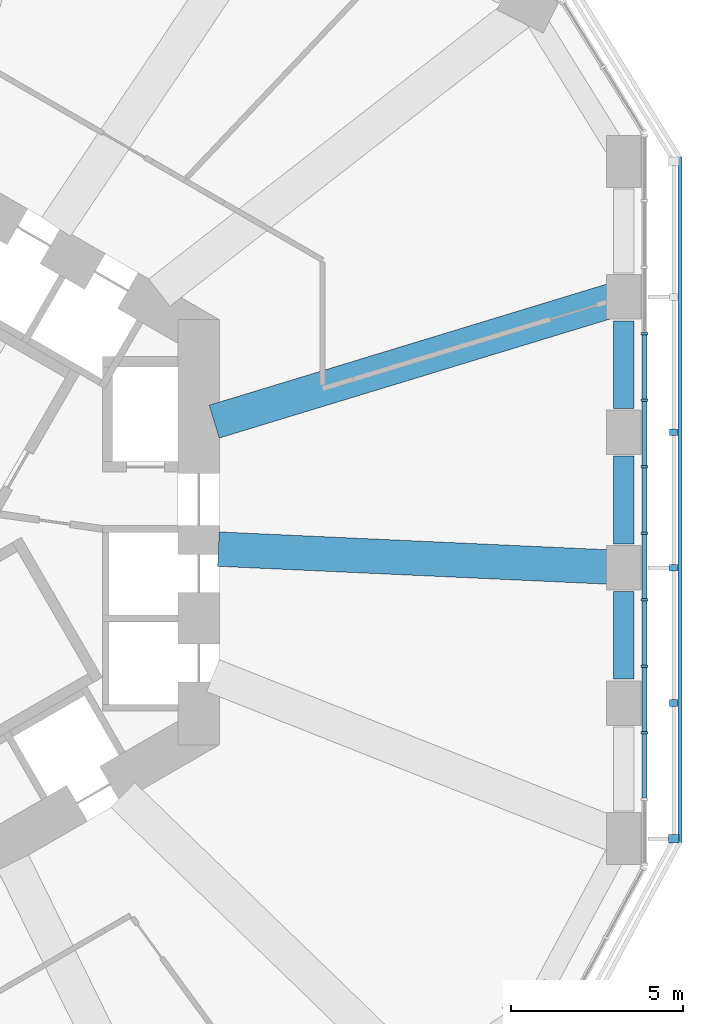
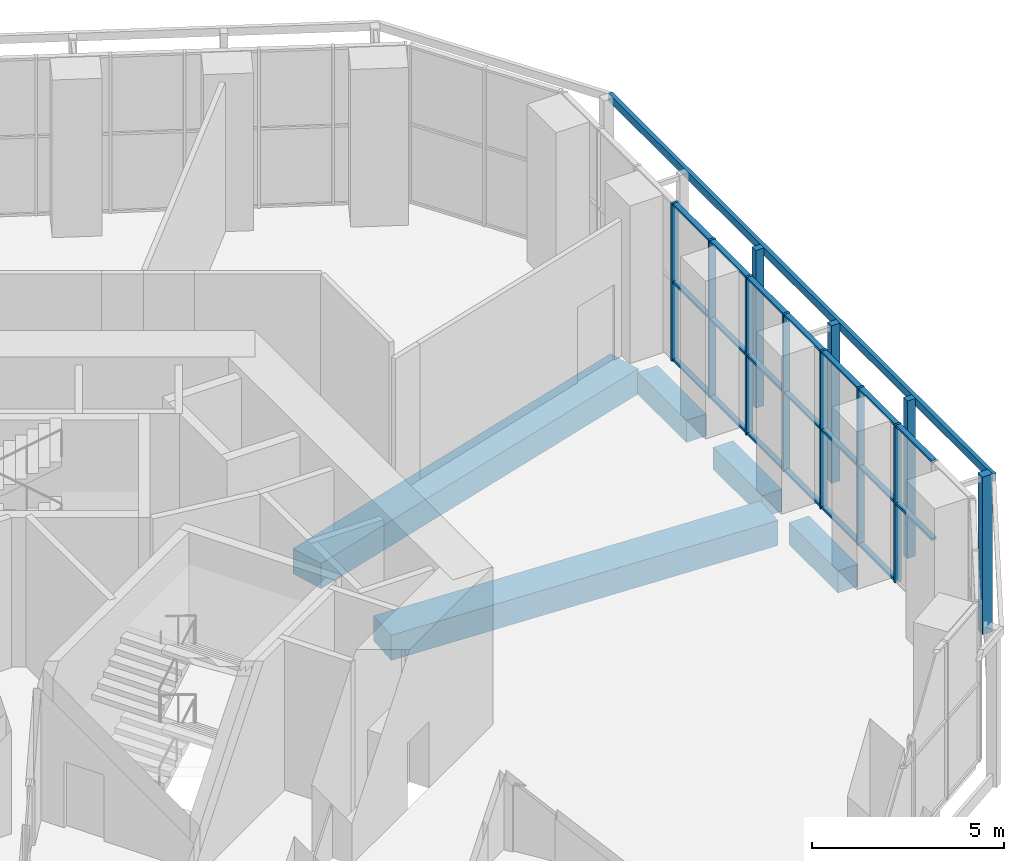
# One storey, part 6 of 19: 32 members, 5 beams, 2 elements without a shape of their own.
"""IFC4 building model written with IfcOpenShell, lengths in metres."""

from ifc_helpers import new_model, si_unit, direction, frame, origin, origin_2d, place, context, subcontext, project, spatial, rectangle, extrude, material, material_profile, profile_set, type_object, element, aggregate, save


model = new_model("IFC4")

# Units and contexts
model_context = context("Model", 3, precision=1e-05, world=origin(), true_north=direction((0.0, 1.0)))
body_context = subcontext(model_context, "Body", "Model", "MODEL_VIEW")
ifc_project = project(units=[si_unit("LENGTHUNIT", "METRE"), si_unit("AREAUNIT", "SQUARE_METRE"), si_unit("VOLUMEUNIT", "CUBIC_METRE"), si_unit("PLANEANGLEUNIT", "RADIAN"), si_unit("MASSUNIT", "GRAM", prefix="KILO")], contexts=[model_context])

# Site, building, storey
site_placement = place(None, origin())
site = spatial("IfcSite", under=ifc_project, at=site_placement, CompositionType="ELEMENT")
building_placement = place(site_placement, origin())
building = spatial("IfcBuilding", under=site, at=building_placement, Name="Vanh Sen Convention Tower", CompositionType="ELEMENT")
storey_placement = place(building_placement, frame((0.0, 0.0, 39.0)))
storey = spatial("IfcBuildingStorey", under=building, at=storey_placement, Name="L06", CompositionType="ELEMENT", Elevation=39.0)

# Curtain wall, members
ifc_material_1 = material(Name="Aluminium structural glazing system", Category="aluminium")
curtain_wall_type_1 = type_object("IfcCurtainWallType", Name="Hotel lobby structural glazing", PredefinedType="NOTDEFINED", material=ifc_material_1)
curtain_wall_1_placement = place(storey_placement, origin())
curtain_wall_1 = element("IfcCurtainWall", 1, at=curtain_wall_1_placement, inside=storey, type_object=curtain_wall_type_1, Name="Hotel lobby glazing E L06", PredefinedType="NOTDEFINED")
ifc_material_2 = material(Name="Aluminium mullion", Category="aluminium")
ifc_material_profile_1 = material_profile(ifc_material_2, rectangle(XDim=0.199951171875, YDim=0.070068359375, at=origin_2d()), Name="Lobby glazing mullion 70 x 200")
ifc_profile_set_1 = profile_set([ifc_material_profile_1], Name="Aluminium mullion")
member_type_1 = type_object("IfcMemberType", Name="Lobby glazing mullion 70 x 200", PredefinedType="MULLION", material=ifc_profile_set_1)
member_1_placement = place(storey_placement, frame((23.050048828125, -5.82373046875, 0.0), z_axis=(0.0, 0.0, 1.0), x_axis=(-1.0, 0.0, 0.0)))
member_1 = element("IfcMember", 2, at=member_1_placement, type_object=member_type_1, Name="CW2 mullion 3", PredefinedType="MULLION", context=body_context, shape_type="SweptSolid", body=[
    extrude(rectangle(XDim=0.199951171875, YDim=0.070068359375, at=origin_2d()), origin(), (0.0, 0.0, 1.0), 5.0),
])
member_2_placement = place(storey_placement, frame((23.050048828125, -3.89208984375, 0.0), z_axis=(0.0, 0.0, 1.0), x_axis=(-1.0, 0.0, 0.0)))
member_2 = element("IfcMember", 3, at=member_2_placement, type_object=member_type_1, Name="CW2 mullion 4", PredefinedType="MULLION", context=body_context, shape_type="SweptSolid", body=[
    extrude(rectangle(XDim=0.199951171875, YDim=0.070068359375, at=origin_2d()), origin(), (0.0, 0.0, 1.0), 5.0),
])
member_3_placement = place(storey_placement, frame((23.050048828125, -1.960693359375, 0.0), z_axis=(0.0, 0.0, 1.0), x_axis=(-1.0, 0.0, 0.0)))
member_3 = element("IfcMember", 4, at=member_3_placement, type_object=member_type_1, Name="CW2 mullion 5", PredefinedType="MULLION", context=body_context, shape_type="SweptSolid", body=[
    extrude(rectangle(XDim=0.199951171875, YDim=0.070068359375, at=origin_2d()), origin(), (0.0, 0.0, 1.0), 5.0),
])
member_4_placement = place(storey_placement, frame((23.050048828125, -0.029296875, 0.0), z_axis=(0.0, 0.0, 1.0), x_axis=(-1.0, 0.0, 0.0)))
member_4 = element("IfcMember", 5, at=member_4_placement, type_object=member_type_1, Name="CW2 mullion 6", PredefinedType="MULLION", context=body_context, shape_type="SweptSolid", body=[
    extrude(rectangle(XDim=0.199951171875, YDim=0.070068359375, at=origin_2d()), origin(), (0.0, 0.0, 1.0), 5.0),
])
member_5_placement = place(storey_placement, frame((23.050048828125, 1.902099609375, 0.0), z_axis=(0.0, 0.0, 1.0), x_axis=(-1.0, 0.0, 0.0)))
member_5 = element("IfcMember", 6, at=member_5_placement, type_object=member_type_1, Name="CW2 mullion 7", PredefinedType="MULLION", context=body_context, shape_type="SweptSolid", body=[
    extrude(rectangle(XDim=0.199951171875, YDim=0.070068359375, at=origin_2d()), origin(), (0.0, 0.0, 1.0), 5.0),
])
member_6_placement = place(storey_placement, frame((23.050048828125, 3.833740234375, 0.0), z_axis=(0.0, 0.0, 1.0), x_axis=(-1.0, 0.0, 0.0)))
member_6 = element("IfcMember", 7, at=member_6_placement, type_object=member_type_1, Name="CW2 mullion 8", PredefinedType="MULLION", context=body_context, shape_type="SweptSolid", body=[
    extrude(rectangle(XDim=0.199951171875, YDim=0.070068359375, at=origin_2d()), origin(), (0.0, 0.0, 1.0), 5.0),
])
member_7_placement = place(storey_placement, frame((23.050048828125, 5.76513671875, 0.0), z_axis=(0.0, 0.0, 1.0), x_axis=(-1.0, 0.0, 0.0)))
member_7 = element("IfcMember", 8, at=member_7_placement, type_object=member_type_1, Name="CW2 mullion 9", PredefinedType="MULLION", context=body_context, shape_type="SweptSolid", body=[
    extrude(rectangle(XDim=0.199951171875, YDim=0.070068359375, at=origin_2d()), origin(), (0.0, 0.0, 1.0), 5.0),
])
ifc_material_3 = material(Name="Aluminium transom", Category="aluminium")
ifc_material_profile_2 = material_profile(ifc_material_3, rectangle(XDim=0.14990234375, YDim=0.070068359375, at=origin_2d()), Name="Lobby glazing transom 150 x 70")
ifc_profile_set_2 = profile_set([ifc_material_profile_2], Name="Aluminium transom")
member_type_2 = type_object("IfcMemberType", Name="Lobby glazing transom 150 x 70", PredefinedType="USERDEFINED", material=ifc_profile_set_2)
member_8_placement = place(storey_placement, frame((23.050048828125, -7.72021484375, 2.5), z_axis=(0.0, 1.0, 0.0), x_axis=(-1.0, 0.0, 0.0)))
member_8 = element("IfcMember", 9, at=member_8_placement, type_object=member_type_2, Name="CW2 transom 2.2", ObjectType="TRANSOM", PredefinedType="USERDEFINED", context=body_context, shape_type="SweptSolid", body=[
    extrude(rectangle(XDim=0.14990234375, YDim=0.070068359375, at=origin_2d()), origin(), (0.0, 0.0, 1.0), 1.861572265625),
])
member_9_placement = place(storey_placement, frame((23.050048828125, -7.72021484375, 4.965087890625), z_axis=(0.0, 1.0, 0.0), x_axis=(-1.0, 0.0, 0.0)))
member_9 = element("IfcMember", 10, at=member_9_placement, type_object=member_type_2, Name="CW2 transom 2.3", ObjectType="TRANSOM", PredefinedType="USERDEFINED", context=body_context, shape_type="SweptSolid", body=[
    extrude(rectangle(XDim=0.14990234375, YDim=0.070068359375, at=origin_2d()), origin(), (0.0, 0.0, 1.0), 1.861572265625),
])
member_10_placement = place(storey_placement, frame((23.050048828125, -5.78857421875, 0.034912109375), z_axis=(0.0, 1.0, 0.0), x_axis=(-1.0, 0.0, 0.0)))
member_10 = element("IfcMember", 11, at=member_10_placement, type_object=member_type_2, Name="CW2 transom 3.1", ObjectType="TRANSOM", PredefinedType="USERDEFINED", context=body_context, shape_type="SweptSolid", body=[
    extrude(rectangle(XDim=0.14990234375, YDim=0.070068359375, at=origin_2d()), origin(), (0.0, 0.0, 1.0), 1.861328125),
])
member_11_placement = place(storey_placement, frame((23.050048828125, -5.78857421875, 2.5), z_axis=(0.0, 1.0, 0.0), x_axis=(-1.0, 0.0, 0.0)))
member_11 = element("IfcMember", 12, at=member_11_placement, type_object=member_type_2, Name="CW2 transom 3.2", ObjectType="TRANSOM", PredefinedType="USERDEFINED", context=body_context, shape_type="SweptSolid", body=[
    extrude(rectangle(XDim=0.14990234375, YDim=0.070068359375, at=origin_2d()), origin(), (0.0, 0.0, 1.0), 1.861328125),
])
member_12_placement = place(storey_placement, frame((23.050048828125, -5.78857421875, 4.965087890625), z_axis=(0.0, 1.0, 0.0), x_axis=(-1.0, 0.0, 0.0)))
member_12 = element("IfcMember", 13, at=member_12_placement, type_object=member_type_2, Name="CW2 transom 3.3", ObjectType="TRANSOM", PredefinedType="USERDEFINED", context=body_context, shape_type="SweptSolid", body=[
    extrude(rectangle(XDim=0.14990234375, YDim=0.070068359375, at=origin_2d()), origin(), (0.0, 0.0, 1.0), 1.861328125),
])
member_13_placement = place(storey_placement, frame((23.050048828125, -3.857177734375, 0.034912109375), z_axis=(0.0, 1.0, 0.0), x_axis=(-1.0, 0.0, 0.0)))
member_13 = element("IfcMember", 14, at=member_13_placement, type_object=member_type_2, Name="CW2 transom 4.1", ObjectType="TRANSOM", PredefinedType="USERDEFINED", context=body_context, shape_type="SweptSolid", body=[
    extrude(rectangle(XDim=0.14990234375, YDim=0.070068359375, at=origin_2d()), origin(), (0.0, 0.0, 1.0), 1.861328125),
])
member_14_placement = place(storey_placement, frame((23.050048828125, -3.857177734375, 2.5), z_axis=(0.0, 1.0, 0.0), x_axis=(-1.0, 0.0, 0.0)))
member_14 = element("IfcMember", 15, at=member_14_placement, type_object=member_type_2, Name="CW2 transom 4.2", ObjectType="TRANSOM", PredefinedType="USERDEFINED", context=body_context, shape_type="SweptSolid", body=[
    extrude(rectangle(XDim=0.14990234375, YDim=0.070068359375, at=origin_2d()), origin(), (0.0, 0.0, 1.0), 1.861328125),
])
member_15_placement = place(storey_placement, frame((23.050048828125, -3.857177734375, 4.965087890625), z_axis=(0.0, 1.0, 0.0), x_axis=(-1.0, 0.0, 0.0)))
member_15 = element("IfcMember", 16, at=member_15_placement, type_object=member_type_2, Name="CW2 transom 4.3", ObjectType="TRANSOM", PredefinedType="USERDEFINED", context=body_context, shape_type="SweptSolid", body=[
    extrude(rectangle(XDim=0.14990234375, YDim=0.070068359375, at=origin_2d()), origin(), (0.0, 0.0, 1.0), 1.861328125),
])
member_16_placement = place(storey_placement, frame((23.050048828125, -1.92578125, 0.034912109375), z_axis=(0.0, 1.0, 0.0), x_axis=(-1.0, 0.0, 0.0)))
member_16 = element("IfcMember", 17, at=member_16_placement, type_object=member_type_2, Name="CW2 transom 5.1", ObjectType="TRANSOM", PredefinedType="USERDEFINED", context=body_context, shape_type="SweptSolid", body=[
    extrude(rectangle(XDim=0.14990234375, YDim=0.070068359375, at=origin_2d()), origin(), (0.0, 0.0, 1.0), 1.861572265625),
])
member_17_placement = place(storey_placement, frame((23.050048828125, -1.92578125, 2.5), z_axis=(0.0, 1.0, 0.0), x_axis=(-1.0, 0.0, 0.0)))
member_17 = element("IfcMember", 18, at=member_17_placement, type_object=member_type_2, Name="CW2 transom 5.2", ObjectType="TRANSOM", PredefinedType="USERDEFINED", context=body_context, shape_type="SweptSolid", body=[
    extrude(rectangle(XDim=0.14990234375, YDim=0.070068359375, at=origin_2d()), origin(), (0.0, 0.0, 1.0), 1.861572265625),
])
member_18_placement = place(storey_placement, frame((23.050048828125, -1.92578125, 4.965087890625), z_axis=(0.0, 1.0, 0.0), x_axis=(-1.0, 0.0, 0.0)))
member_18 = element("IfcMember", 19, at=member_18_placement, type_object=member_type_2, Name="CW2 transom 5.3", ObjectType="TRANSOM", PredefinedType="USERDEFINED", context=body_context, shape_type="SweptSolid", body=[
    extrude(rectangle(XDim=0.14990234375, YDim=0.070068359375, at=origin_2d()), origin(), (0.0, 0.0, 1.0), 1.861572265625),
])
member_19_placement = place(storey_placement, frame((23.050048828125, 0.005615234375, 0.034912109375), z_axis=(0.0, 1.0, 0.0), x_axis=(-1.0, 0.0, 0.0)))
member_19 = element("IfcMember", 20, at=member_19_placement, type_object=member_type_2, Name="CW2 transom 6.1", ObjectType="TRANSOM", PredefinedType="USERDEFINED", context=body_context, shape_type="SweptSolid", body=[
    extrude(rectangle(XDim=0.14990234375, YDim=0.070068359375, at=origin_2d()), origin(), (0.0, 0.0, 1.0), 1.861572265625),
])
member_20_placement = place(storey_placement, frame((23.050048828125, 0.005615234375, 2.5), z_axis=(0.0, 1.0, 0.0), x_axis=(-1.0, 0.0, 0.0)))
member_20 = element("IfcMember", 21, at=member_20_placement, type_object=member_type_2, Name="CW2 transom 6.2", ObjectType="TRANSOM", PredefinedType="USERDEFINED", context=body_context, shape_type="SweptSolid", body=[
    extrude(rectangle(XDim=0.14990234375, YDim=0.070068359375, at=origin_2d()), origin(), (0.0, 0.0, 1.0), 1.861572265625),
])
member_21_placement = place(storey_placement, frame((23.050048828125, 0.005615234375, 4.965087890625), z_axis=(0.0, 1.0, 0.0), x_axis=(-1.0, 0.0, 0.0)))
member_21 = element("IfcMember", 22, at=member_21_placement, type_object=member_type_2, Name="CW2 transom 6.3", ObjectType="TRANSOM", PredefinedType="USERDEFINED", context=body_context, shape_type="SweptSolid", body=[
    extrude(rectangle(XDim=0.14990234375, YDim=0.070068359375, at=origin_2d()), origin(), (0.0, 0.0, 1.0), 1.861572265625),
])
member_22_placement = place(storey_placement, frame((23.050048828125, 1.937255859375, 0.034912109375), z_axis=(0.0, 1.0, 0.0), x_axis=(-1.0, 0.0, 0.0)))
member_22 = element("IfcMember", 23, at=member_22_placement, type_object=member_type_2, Name="CW2 transom 7.1", ObjectType="TRANSOM", PredefinedType="USERDEFINED", context=body_context, shape_type="SweptSolid", body=[
    extrude(rectangle(XDim=0.14990234375, YDim=0.070068359375, at=origin_2d()), origin(), (0.0, 0.0, 1.0), 1.861328125),
])
member_23_placement = place(storey_placement, frame((23.050048828125, 1.937255859375, 2.5), z_axis=(0.0, 1.0, 0.0), x_axis=(-1.0, 0.0, 0.0)))
member_23 = element("IfcMember", 24, at=member_23_placement, type_object=member_type_2, Name="CW2 transom 7.2", ObjectType="TRANSOM", PredefinedType="USERDEFINED", context=body_context, shape_type="SweptSolid", body=[
    extrude(rectangle(XDim=0.14990234375, YDim=0.070068359375, at=origin_2d()), origin(), (0.0, 0.0, 1.0), 1.861328125),
])
member_24_placement = place(storey_placement, frame((23.050048828125, 1.937255859375, 4.965087890625), z_axis=(0.0, 1.0, 0.0), x_axis=(-1.0, 0.0, 0.0)))
member_24 = element("IfcMember", 25, at=member_24_placement, type_object=member_type_2, Name="CW2 transom 7.3", ObjectType="TRANSOM", PredefinedType="USERDEFINED", context=body_context, shape_type="SweptSolid", body=[
    extrude(rectangle(XDim=0.14990234375, YDim=0.070068359375, at=origin_2d()), origin(), (0.0, 0.0, 1.0), 1.861328125),
])
member_25_placement = place(storey_placement, frame((23.050048828125, 3.86865234375, 0.034912109375), z_axis=(0.0, 1.0, 0.0), x_axis=(-1.0, 0.0, 0.0)))
member_25 = element("IfcMember", 26, at=member_25_placement, type_object=member_type_2, Name="CW2 transom 8.1", ObjectType="TRANSOM", PredefinedType="USERDEFINED", context=body_context, shape_type="SweptSolid", body=[
    extrude(rectangle(XDim=0.14990234375, YDim=0.070068359375, at=origin_2d()), origin(), (0.0, 0.0, 1.0), 1.861572265625),
])
member_26_placement = place(storey_placement, frame((23.050048828125, 3.86865234375, 2.5), z_axis=(0.0, 1.0, 0.0), x_axis=(-1.0, 0.0, 0.0)))
member_26 = element("IfcMember", 27, at=member_26_placement, type_object=member_type_2, Name="CW2 transom 8.2", ObjectType="TRANSOM", PredefinedType="USERDEFINED", context=body_context, shape_type="SweptSolid", body=[
    extrude(rectangle(XDim=0.14990234375, YDim=0.070068359375, at=origin_2d()), origin(), (0.0, 0.0, 1.0), 1.861572265625),
])
member_27_placement = place(storey_placement, frame((23.050048828125, 3.86865234375, 4.965087890625), z_axis=(0.0, 1.0, 0.0), x_axis=(-1.0, 0.0, 0.0)))
member_27 = element("IfcMember", 28, at=member_27_placement, type_object=member_type_2, Name="CW2 transom 8.3", ObjectType="TRANSOM", PredefinedType="USERDEFINED", context=body_context, shape_type="SweptSolid", body=[
    extrude(rectangle(XDim=0.14990234375, YDim=0.070068359375, at=origin_2d()), origin(), (0.0, 0.0, 1.0), 1.861572265625),
])
aggregate(curtain_wall_1, [member_1, member_2, member_3, member_4, member_5, member_6, member_7, member_8, member_9, member_10, member_11, member_12, member_13, member_14, member_15, member_16, member_17, member_18, member_19, member_20, member_21, member_22, member_23, member_24, member_25, member_26, member_27])

ifc_material_4 = material(Name="Concrete C50/60", Category="concrete")
curtain_wall_type_2 = type_object("IfcCurtainWallType", Name="Outer skin hotel zone", PredefinedType="NOTDEFINED", material=ifc_material_4)
curtain_wall_2_placement = place(storey_placement, origin())
curtain_wall_2 = element("IfcCurtainWall", 29, at=curtain_wall_2_placement, inside=storey, type_object=curtain_wall_type_2, Name="OUTER SKIN E L06", PredefinedType="NOTDEFINED")
ifc_material_profile_3 = material_profile(ifc_material_4, rectangle(XDim=0.25, YDim=0.300048828125, at=origin_2d()), Name="Outer skin precast corner fin 250 x 300")
ifc_profile_set_3 = profile_set([ifc_material_profile_3], Name="Concrete C50/60")
member_type_3 = type_object("IfcMemberType", Name="Outer skin precast corner fin 250 x 300", PredefinedType="MULLION", material=ifc_profile_set_3)
member_28_placement = place(storey_placement, frame((23.89990234375, -8.899169921875, 0.0), z_axis=(0.0, 0.0, 1.0), x_axis=(0.0, 1.0, 0.0)))
member_28 = element("IfcMember", 30, at=member_28_placement, type_object=member_type_3, Name="OUTER SKIN CORNER FIN 1 E L06", PredefinedType="MULLION", context=body_context, shape_type="SweptSolid", body=[
    extrude(rectangle(XDim=0.25, YDim=0.300048828125, at=origin_2d()), origin(), (0.0, 0.0, 1.0), 5.0),
])
ifc_material_profile_4 = material_profile(ifc_material_4, rectangle(XDim=0.199951171875, YDim=0.25, at=origin_2d()), Name="Outer skin precast fin 200 x 250")
ifc_profile_set_4 = profile_set([ifc_material_profile_4], Name="Concrete C50/60")
member_type_4 = type_object("IfcMemberType", Name="Outer skin precast fin 200 x 250", PredefinedType="MULLION", material=ifc_profile_set_4)
member_29_placement = place(storey_placement, frame((23.89990234375, -4.964599609375, 0.0), z_axis=(0.0, 0.0, 1.0), x_axis=(0.0, 1.0, 0.0)))
member_29 = element("IfcMember", 31, at=member_29_placement, type_object=member_type_4, Name="OUTER SKIN fin 2 E L06", PredefinedType="MULLION", context=body_context, shape_type="SweptSolid", body=[
    extrude(rectangle(XDim=0.199951171875, YDim=0.25, at=origin_2d()), origin(), (0.0, 0.0, 1.0), 5.0),
])
member_30_placement = place(storey_placement, frame((23.89990234375, -1.030029296875, 0.0), z_axis=(0.0, 0.0, 1.0), x_axis=(0.0, 1.0, 0.0)))
member_30 = element("IfcMember", 32, at=member_30_placement, type_object=member_type_4, Name="OUTER SKIN fin 3 E L06", PredefinedType="MULLION", context=body_context, shape_type="SweptSolid", body=[
    extrude(rectangle(XDim=0.199951171875, YDim=0.25, at=origin_2d()), origin(), (0.0, 0.0, 1.0), 5.0),
])
member_31_placement = place(storey_placement, frame((23.89990234375, 2.904541015625, 0.0), z_axis=(0.0, 0.0, 1.0), x_axis=(0.0, 1.0, 0.0)))
member_31 = element("IfcMember", 33, at=member_31_placement, type_object=member_type_4, Name="OUTER SKIN fin 4 E L06", PredefinedType="MULLION", context=body_context, shape_type="SweptSolid", body=[
    extrude(rectangle(XDim=0.199951171875, YDim=0.25, at=origin_2d()), origin(), (0.0, 0.0, 1.0), 5.0),
])
ifc_material_profile_5 = material_profile(ifc_material_4, rectangle(XDim=0.1201171875, YDim=0.25, at=origin_2d()), Name="Outer skin precast spandrel band 250 x 120")
ifc_profile_set_5 = profile_set([ifc_material_profile_5], Name="Concrete C50/60")
member_type_5 = type_object("IfcMemberType", Name="Outer skin precast spandrel band 250 x 120", PredefinedType="USERDEFINED", material=ifc_profile_set_5)
member_32_placement = place(storey_placement, frame((24.0849609375, -9.024169921875, 4.875), z_axis=(0.0, 1.0, 0.0), x_axis=(-1.0, 0.0, 0.0)))
member_32 = element("IfcMember", 34, at=member_32_placement, type_object=member_type_5, Name="OUTER SKIN spandrel band E L06", ObjectType="TRANSOM", PredefinedType="USERDEFINED", context=body_context, shape_type="SweptSolid", body=[
    extrude(rectangle(XDim=0.1201171875, YDim=0.25, at=origin_2d()), origin(), (0.0, 0.0, 1.0), 19.9228515625),
])
aggregate(curtain_wall_2, [member_28, member_29, member_30, member_31, member_32])

# Beams
ifc_material_5 = material(Name="Concrete C50/60", Category="concrete")
ifc_material_profile_6 = material_profile(ifc_material_5, rectangle(XDim=1.0, YDim=0.800048828125, at=origin_2d()), Name="RC 1000X800")
ifc_profile_set_6 = profile_set([ifc_material_profile_6], Name="Concrete C50/60")
beam_type_1 = type_object("IfcBeamType", Name="Radial floor beam 1000 x 800", PredefinedType="BEAM", material=ifc_profile_set_6)
beam_1_placement = place(storey_placement, frame((21.977783203125, -1.00830078125, -0.699951171875), z_axis=(-0.998949774884, 0.045818634401, 0.0), x_axis=(-0.045818634401, -0.998949774884, 0.0)))
element("IfcBeam", 35, at=beam_1_placement, inside=storey, type_object=beam_type_1, Name="Radial beam 02 L06", PredefinedType="BEAM", context=body_context, shape_type="SweptSolid", body=[
    extrude(rectangle(XDim=1.0, YDim=0.800048828125, at=origin_2d()), origin(), (0.0, 0.0, 1.0), 11.317626953125),
])
beam_2_placement = place(storey_placement, frame((22.1005859375, 6.732666015625, -0.699951171875), z_axis=(-0.95659843119, -0.291409405211, 0.0), x_axis=(0.291409405211, -0.95659843119, 0.0)))
element("IfcBeam", 36, at=beam_2_placement, inside=storey, type_object=beam_type_1, Name="Radial beam 03 L06", PredefinedType="BEAM", context=body_context, shape_type="SweptSolid", body=[
    extrude(rectangle(XDim=1.0, YDim=0.800048828125, at=origin_2d()), origin(), (0.0, 0.0, 1.0), 12.0751953125),
])
ifc_material_profile_7 = material_profile(ifc_material_5, rectangle(XDim=0.60009765625, YDim=0.699951171875, at=origin_2d()), Name="RC 600X700")
ifc_profile_set_7 = profile_set([ifc_material_profile_7], Name="Concrete C50/60")
beam_type_2 = type_object("IfcBeamType", Name="Spandrel beam 600 x 700", PredefinedType="SPANDREL", material=ifc_profile_set_7)
beam_3_placement = place(storey_placement, frame((22.449951171875, -4.26953125, -0.64990234375), z_axis=(0.0, 1.0, 0.0), x_axis=(-1.0, 0.0, 0.0)))
element("IfcBeam", 37, at=beam_3_placement, inside=storey, type_object=beam_type_2, Name="Spandrel beam 02 L06", PredefinedType="SPANDREL", context=body_context, shape_type="SweptSolid", body=[
    extrude(rectangle(XDim=0.60009765625, YDim=0.699951171875, at=origin_2d()), origin(), (0.0, 0.0, 1.0), 2.54443359375),
])
beam_4_placement = place(storey_placement, frame((22.449951171875, -0.335205078125, -0.64990234375), z_axis=(0.0, 1.0, 0.0), x_axis=(-1.0, 0.0, 0.0)))
element("IfcBeam", 38, at=beam_4_placement, inside=storey, type_object=beam_type_2, Name="Spandrel beam 03 L06", PredefinedType="SPANDREL", context=body_context, shape_type="SweptSolid", body=[
    extrude(rectangle(XDim=0.60009765625, YDim=0.699951171875, at=origin_2d()), origin(), (0.0, 0.0, 1.0), 2.544677734375),
])
beam_5_placement = place(storey_placement, frame((22.449951171875, 3.599609375, -0.64990234375), z_axis=(0.0, 1.0, 0.0), x_axis=(-1.0, 0.0, 0.0)))
element("IfcBeam", 39, at=beam_5_placement, inside=storey, type_object=beam_type_2, Name="Spandrel beam 04 L06", PredefinedType="SPANDREL", context=body_context, shape_type="SweptSolid", body=[
    extrude(rectangle(XDim=0.60009765625, YDim=0.699951171875, at=origin_2d()), origin(), (0.0, 0.0, 1.0), 2.54443359375),
])

save(model, "model.ifc")
